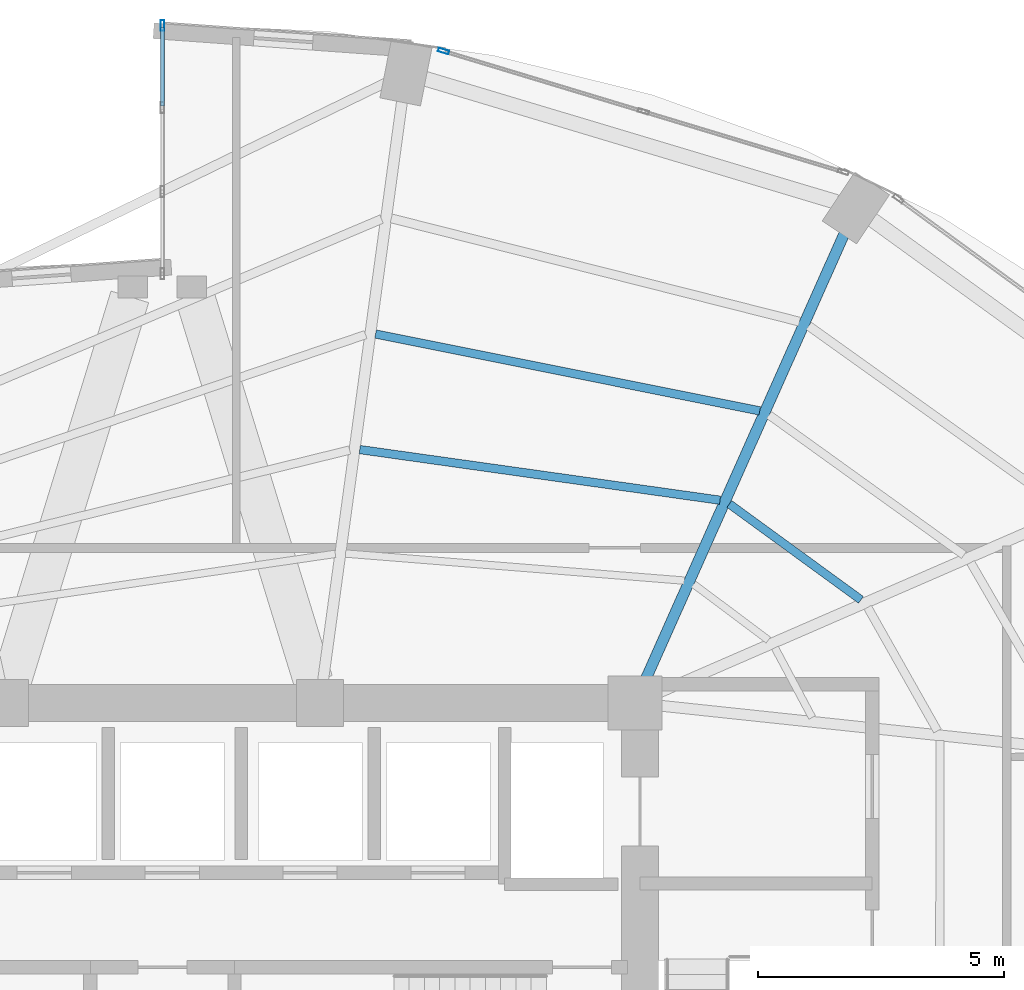
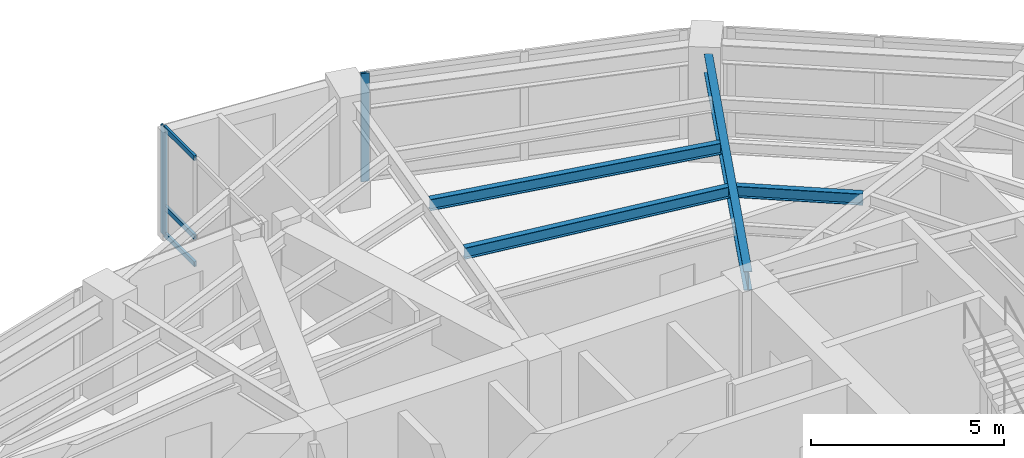
# One storey, part 16 of 24: 5 members, 4 beams, 2 elements without a shape of their own.
"""IFC4 building model written with IfcOpenShell, lengths in metres."""

from ifc_helpers import new_model, si_unit, direction, frame, origin, origin_2d, place, context, subcontext, project, spatial, hollow_rectangle, i_section, extrude, material, layer, layer_set, material_profile, profile_set, type_object, element, aggregate, save


model = new_model("IFC4")

# Units and contexts
model_context = context("Model", 3, precision=1e-05, world=origin(), true_north=direction((0.0, 1.0)))
body_context = subcontext(model_context, "Body", "Model", "MODEL_VIEW")
ifc_project = project(units=[si_unit("LENGTHUNIT", "METRE"), si_unit("AREAUNIT", "SQUARE_METRE"), si_unit("VOLUMEUNIT", "CUBIC_METRE"), si_unit("PLANEANGLEUNIT", "RADIAN"), si_unit("MASSUNIT", "GRAM", prefix="KILO")], contexts=[model_context])

# Site, building, storey
site_placement = place(None, origin())
site = spatial("IfcSite", under=ifc_project, at=site_placement, CompositionType="ELEMENT")
building_placement = place(site_placement, origin())
building = spatial("IfcBuilding", under=site, at=building_placement, Name="Lazwardi Medical Tower", CompositionType="ELEMENT")
storey_placement = place(building_placement, frame((0.0, 0.0, 96.3359375)))
storey = spatial("IfcBuildingStorey", under=building, at=storey_placement, Name="L24", CompositionType="ELEMENT", Elevation=96.3359375)

# Beams
ifc_material_1 = material(Name="Steel S355", Category="steel")
ifc_material_profile_1 = material_profile(ifc_material_1, i_section(OverallWidth=0.219970703125, OverallDepth=0.60009765625, WebThickness=0.011962890625, FlangeThickness=0.01904296875, at=origin_2d()), Name="IPE 600")
ifc_profile_set_1 = profile_set([ifc_material_profile_1], Name="Steel S355")
beam_type_1 = type_object("IfcBeamType", Name="BM-RG-W1", PredefinedType="BEAM", material=ifc_profile_set_1)
beam_1_placement = place(storey_placement, frame((49.847412109375, 45.127685546875, 3.128173828125), z_axis=(-0.407165924957, -0.913354208155, 0.0), x_axis=(0.913354208155, -0.407165924957, 0.0)))
element("IfcBeam", 1, at=beam_1_placement, inside=storey, type_object=beam_type_1, Name="Radial girder RG-02 R07 L24", PredefinedType="BEAM", context=body_context, shape_type="SweptSolid", body=[
    extrude(i_section(OverallWidth=0.219970703125, OverallDepth=0.60009765625, WebThickness=0.011962890625, FlangeThickness=0.01904296875, at=origin_2d()), origin(), (0.0, 0.0, 1.0), 9.896484375),
])
ifc_material_profile_2 = material_profile(ifc_material_1, i_section(OverallWidth=0.169921875, OverallDepth=0.360107421875, WebThickness=0.008056640625, FlangeThickness=0.0126953125, at=origin_2d()), Name="IPE 360")
ifc_profile_set_2 = profile_set([ifc_material_profile_2], Name="Steel S355")
beam_type_2 = type_object("IfcBeamType", Name="BM-SJ-02", PredefinedType="JOIST", material=ifc_profile_set_2)
beam_2_placement = place(storey_placement, frame((48.1328125, 41.53271484375, 3.248046875), z_axis=(-0.980542906584, 0.196304886203, 0.0), x_axis=(-0.196304886203, -0.980542906584, 0.0)))
element("IfcBeam", 2, at=beam_2_placement, inside=storey, type_object=beam_type_2, Name="Secondary joist SJ-02 R2 B07 L24", PredefinedType="JOIST", context=body_context, shape_type="SweptSolid", body=[
    extrude(i_section(OverallWidth=0.169921875, OverallDepth=0.360107421875, WebThickness=0.008056640625, FlangeThickness=0.0126953125, at=origin_2d()), origin(), (0.0, 0.0, 1.0), 7.95947265625),
])
beam_3_placement = place(storey_placement, frame((50.18798828125, 37.6953125, 3.248046875), z_axis=(-0.808301737247, 0.588768461761, 0.0), x_axis=(-0.588768461761, -0.808301737247, 0.0)))
element("IfcBeam", 3, at=beam_3_placement, inside=storey, type_object=beam_type_2, Name="Secondary joist SJ-02 R3 B06 L24", PredefinedType="JOIST", context=body_context, shape_type="SweptSolid", body=[
    extrude(i_section(OverallWidth=0.169921875, OverallDepth=0.360107421875, WebThickness=0.008056640625, FlangeThickness=0.0126953125, at=origin_2d()), origin(), (0.0, 0.0, 1.0), 3.307373046875),
])
beam_4_placement = place(storey_placement, frame((47.32568359375, 39.718994140625, 3.248046875), z_axis=(-0.990260920731, 0.139223952222, 0.0), x_axis=(-0.139223952222, -0.990260920731, 0.0)))
element("IfcBeam", 4, at=beam_4_placement, inside=storey, type_object=beam_type_2, Name="Secondary joist SJ-02 R3 B07 L24", PredefinedType="JOIST", context=body_context, shape_type="SweptSolid", body=[
    extrude(i_section(OverallWidth=0.169921875, OverallDepth=0.360107421875, WebThickness=0.008056640625, FlangeThickness=0.0126953125, at=origin_2d()), origin(), (0.0, 0.0, 1.0), 7.3896484375),
])

# Curtain wall, member
ifc_material_2 = material(Name="Anodised bronze aluminium and solar control glazing", Category="aluminium")
ifc_layer_1 = layer(ifc_material_2, 0.195068359375)
ifc_layer_set_1 = layer_set([ifc_layer_1], Name="Anodised bronze aluminium and solar control glazing")
curtain_wall_type_1 = type_object("IfcCurtainWallType", Name="CW-SYS-03", PredefinedType="NOTDEFINED", material=ifc_layer_set_1)
curtain_wall_1_placement = place(storey_placement, origin())
curtain_wall_1 = element("IfcCurtainWall", 5, at=curtain_wall_1_placement, inside=storey, type_object=curtain_wall_type_1, Name="L24 Unitised bronze curtain wall CW-03", PredefinedType="NOTDEFINED")
ifc_material_3 = material(Name="Anodised bronze aluminium", Category="aluminium")
ifc_material_profile_3 = material_profile(ifc_material_3, hollow_rectangle(XDim=0.074951171875, YDim=0.219970703125, WallThickness=0.00390625, at=origin_2d()), Name="ALU-MULLION 220x75x4")
ifc_profile_set_3 = profile_set([ifc_material_profile_3], Name="Anodised bronze aluminium")
member_type_1 = type_object("IfcMemberType", Name="CW-MUL-01", PredefinedType="MULLION", material=ifc_profile_set_3)
member_1_placement = place(storey_placement, frame((41.710205078125, 48.840087890625, 0.0), z_axis=(0.0, 0.0, 1.0), x_axis=(-0.28937381157, -0.957216170558, 0.0)))
member_1 = element("IfcMember", 6, at=member_1_placement, type_object=member_type_1, Name="CW-03 mullion 3", PredefinedType="MULLION", context=body_context, shape_type="SweptSolid", body=[
    extrude(hollow_rectangle(XDim=0.074951171875, YDim=0.219970703125, WallThickness=0.00390625, at=origin_2d()), origin(), (0.0, 0.0, 1.0), 3.427978515625),
])
aggregate(curtain_wall_1, [member_1])

# Curtain wall, members
ifc_layer_2 = layer(ifc_material_2, 0.2099609375)
ifc_layer_set_2 = layer_set([ifc_layer_2], Name="Anodised bronze aluminium and solar control glazing")
curtain_wall_type_2 = type_object("IfcCurtainWallType", Name="CW-SYS-06", PredefinedType="NOTDEFINED", material=ifc_layer_set_2)
curtain_wall_2_placement = place(storey_placement, origin())
curtain_wall_2 = element("IfcCurtainWall", 7, at=curtain_wall_2_placement, inside=storey, type_object=curtain_wall_type_2, Name="L24 Unitised bronze curtain wall CW-06", PredefinedType="NOTDEFINED")
member_2_placement = place(storey_placement, frame((36.0, 49.362548828125, 0.0), z_axis=(0.0, 0.0, 1.0), x_axis=(1.0, 0.0, 0.0)))
member_2 = element("IfcMember", 8, at=member_2_placement, type_object=member_type_1, Name="CW-06 mullion 1", PredefinedType="MULLION", context=body_context, shape_type="SweptSolid", body=[
    extrude(hollow_rectangle(XDim=0.074951171875, YDim=0.219970703125, WallThickness=0.00390625, at=origin_2d()), origin(), (0.0, 0.0, 1.0), 3.427978515625),
])
ifc_material_profile_4 = material_profile(ifc_material_3, hollow_rectangle(XDim=0.074951171875, YDim=0.159912109375, WallThickness=0.00390625, at=origin_2d()), Name="ALU-TRANSOM 160x75x4")
ifc_profile_set_4 = profile_set([ifc_material_profile_4], Name="Anodised bronze aluminium")
member_type_2 = type_object("IfcMemberType", Name="CW-TRN-01", PredefinedType="USERDEFINED", material=ifc_profile_set_4)
member_3_placement = place(storey_placement, frame((36.0, 49.324951171875, 0.03759765625), z_axis=(0.0, -1.0, 0.0), x_axis=(1.0, 0.0, 0.0)))
member_3 = element("IfcMember", 9, at=member_3_placement, type_object=member_type_2, Name="CW-06 transom 1.1", ObjectType="TRANSOM", PredefinedType="USERDEFINED", context=body_context, shape_type="SweptSolid", body=[
    extrude(hollow_rectangle(XDim=0.074951171875, YDim=0.159912109375, WallThickness=0.00390625, at=origin_2d()), origin(), (0.0, 0.0, 1.0), 1.59423828125),
])
member_4_placement = place(storey_placement, frame((36.0, 49.324951171875, 0.900146484375), z_axis=(0.0, -1.0, 0.0), x_axis=(1.0, 0.0, 0.0)))
member_4 = element("IfcMember", 10, at=member_4_placement, type_object=member_type_2, Name="CW-06 transom 1.2", ObjectType="TRANSOM", PredefinedType="USERDEFINED", context=body_context, shape_type="SweptSolid", body=[
    extrude(hollow_rectangle(XDim=0.074951171875, YDim=0.159912109375, WallThickness=0.00390625, at=origin_2d()), origin(), (0.0, 0.0, 1.0), 1.59423828125),
])
member_5_placement = place(storey_placement, frame((36.0, 49.324951171875, 3.390625), z_axis=(0.0, -1.0, 0.0), x_axis=(1.0, 0.0, 0.0)))
member_5 = element("IfcMember", 11, at=member_5_placement, type_object=member_type_2, Name="CW-06 transom 1.3", ObjectType="TRANSOM", PredefinedType="USERDEFINED", context=body_context, shape_type="SweptSolid", body=[
    extrude(hollow_rectangle(XDim=0.074951171875, YDim=0.159912109375, WallThickness=0.00390625, at=origin_2d()), origin(), (0.0, 0.0, 1.0), 1.59423828125),
])
aggregate(curtain_wall_2, [member_2, member_3, member_4, member_5])

save(model, "model.ifc")
